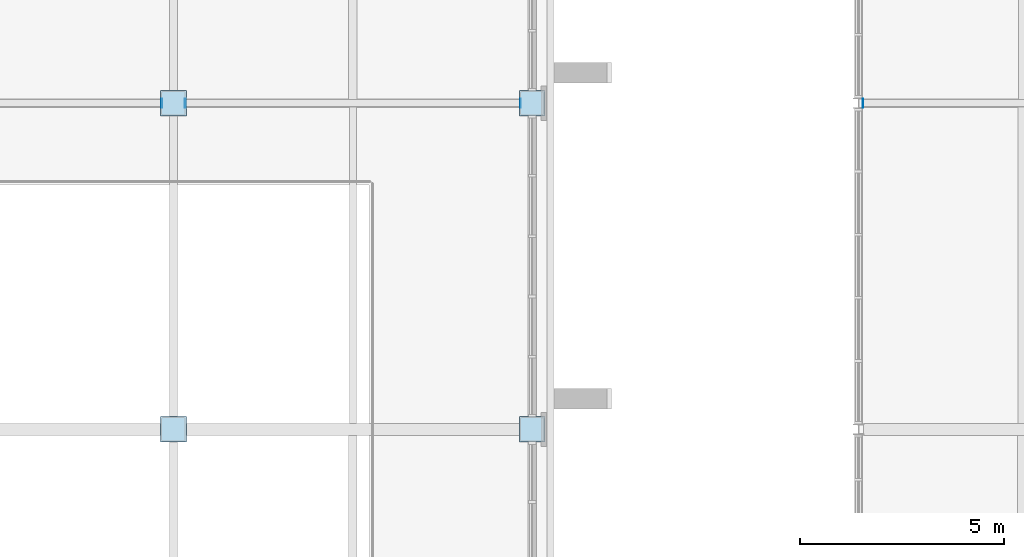
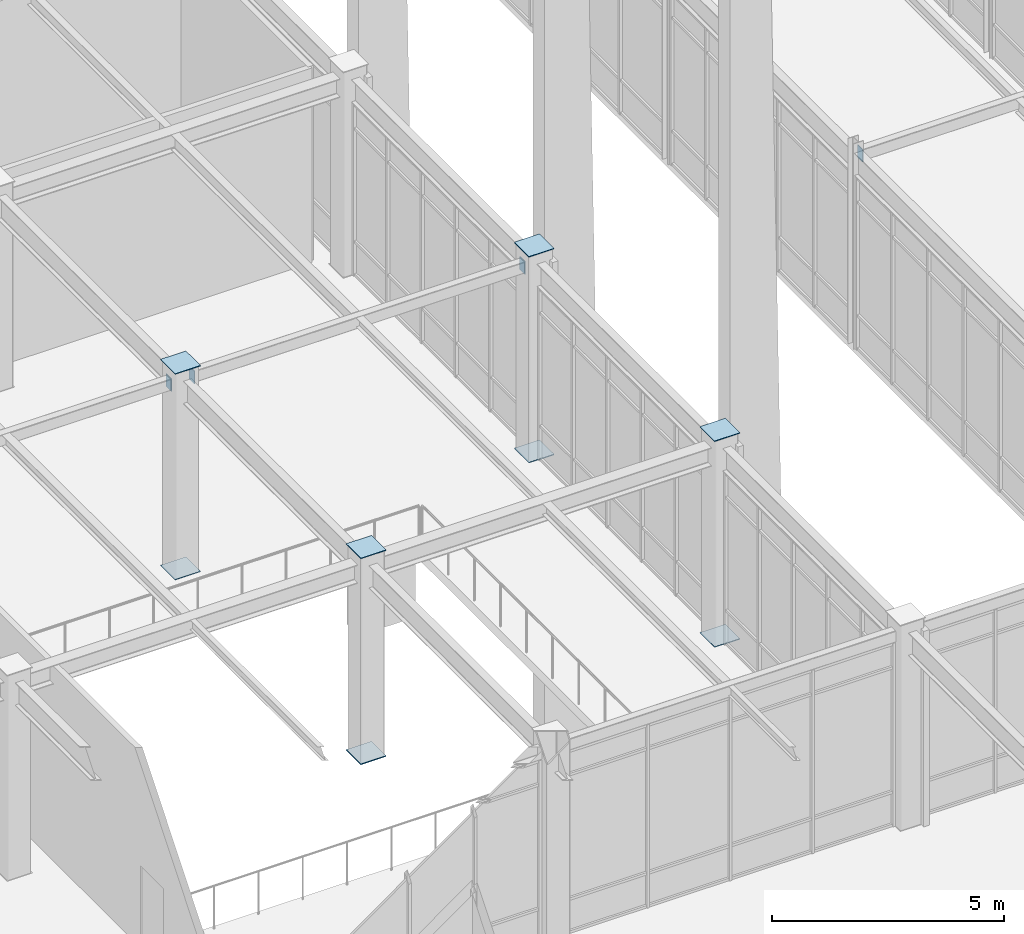
# One storey, part 115 of 184: 12 plates.
"""IFC4 building model written with IfcOpenShell, lengths in metres."""

from ifc_helpers import new_model, si_unit, direction, frame, origin, origin_2d, place, context, subcontext, project, spatial, rectangle, extrude, material, layer, layer_set, type_object, element, save


model = new_model("IFC4")

# Units and contexts
model_context = context("Model", 3, precision=1e-05, world=origin(), true_north=direction((0.0, 1.0)))
body_context = subcontext(model_context, "Body", "Model", "MODEL_VIEW")
ifc_project = project(units=[si_unit("LENGTHUNIT", "METRE"), si_unit("AREAUNIT", "SQUARE_METRE"), si_unit("VOLUMEUNIT", "CUBIC_METRE"), si_unit("PLANEANGLEUNIT", "RADIAN"), si_unit("MASSUNIT", "GRAM", prefix="KILO")], contexts=[model_context])

# Site, building, storey
site_placement = place(None, origin())
site = spatial("IfcSite", under=ifc_project, at=site_placement, CompositionType="ELEMENT")
building_placement = place(site_placement, origin())
building = spatial("IfcBuilding", under=site, at=building_placement, Name="Zhaolan Boulevard Law Courts", CompositionType="ELEMENT")
storey_placement = place(building_placement, frame((0.0, 0.0, 5.39990234375)))
storey = spatial("IfcBuildingStorey", under=building, at=storey_placement, Name="L01", CompositionType="ELEMENT", Elevation=5.39990234375)

# Plates
ifc_material = material(Name="Structural steel Q355B", Category="steel")
ifc_layer = layer(ifc_material, 0.02001953125)
ifc_layer_set = layer_set([ifc_layer])
plate_type = type_object("IfcPlateType", Name="END CAP PLATE 20", PredefinedType="SHEET", material=ifc_layer_set)
for number, where, z_axis, x_axis, name in (
    (1, (35.199951171875, 38.0, -0.017822265625), (0.0, 0.0, 1.0), (1.0, 0.0, 0.0), "Hollow Section End-Cap Plate ECP-0381"),
    (2, (35.199951171875, 38.0, 5.398193359375), (0.0, 0.0, 1.0), (1.0, 0.0, 0.0), "Hollow Section End-Cap Plate ECP-0382"),
    (3, (35.199951171875, 46.0, -0.017822265625), (0.0, 0.0, 1.0), (1.0, 0.0, 0.0), "Hollow Section End-Cap Plate ECP-0403"),
    (4, (35.199951171875, 46.0, 5.398193359375), (0.0, 0.0, 1.0), (1.0, 0.0, 0.0), "Hollow Section End-Cap Plate ECP-0404"),
    (5, (44.0, 38.0, -0.017822265625), (0.0, 0.0, 1.0), (1.0, 0.0, 0.0), "Hollow Section End-Cap Plate ECP-0509"),
    (6, (44.0, 38.0, 5.398193359375), (0.0, 0.0, 1.0), (1.0, 0.0, 0.0), "Hollow Section End-Cap Plate ECP-0510"),
    (7, (44.0, 46.0, -0.017822265625), (0.0, 0.0, 1.0), (1.0, 0.0, 0.0), "Hollow Section End-Cap Plate ECP-0527"),
    (8, (44.0, 46.0, 5.398193359375), (0.0, 0.0, 1.0), (1.0, 0.0, 0.0), "Hollow Section End-Cap Plate ECP-0528"),
):
    element("IfcPlate", number, at=place(storey_placement, frame(where, z_axis=z_axis, x_axis=x_axis)), inside=storey, type_object=plate_type, Name=name, PredefinedType="SHEET", context=body_context, shape_type="SweptSolid", body=[
        extrude(rectangle(XDim=0.6298828125, YDim=0.6298828125, at=origin_2d()), origin(), (0.0, 0.0, 1.0), 0.02001953125),
    ])
for number, where, z_axis, x_axis, name in (
    (9, (34.912109375, 46.0, 4.822998046875), (0.0, 0.0, 1.0), (1.0, 0.0, 0.0), "Hollow Section End-Cap Plate ECP-0764"),
    (10, (35.488037109375, 46.0, 4.822998046875), (0.0, 0.0, 1.0), (1.0, 0.0, 0.0), "Hollow Section End-Cap Plate ECP-0765"),
    (11, (43.7119140625, 46.0, 4.822998046875), (0.0, 0.0, 1.0), (1.0, 0.0, 0.0), "Hollow Section End-Cap Plate ECP-0766"),
    (12, (52.113037109375, 46.0, 4.8330078125), (0.0, 0.0, 1.0), (1.0, 0.0, 0.0), "Hollow Section End-Cap Plate ECP-0767"),
):
    element("IfcPlate", number, at=place(storey_placement, frame(where, z_axis=z_axis, x_axis=x_axis)), inside=storey, type_object=plate_type, Name=name, PredefinedType="SHEET", context=body_context, shape_type="SweptSolid", body=[
        extrude(rectangle(XDim=0.02001953125, YDim=0.22998046875, at=origin_2d()), origin(), (0.0, 0.0, 1.0), 0.330078125),
    ])

save(model, "model.ifc")
